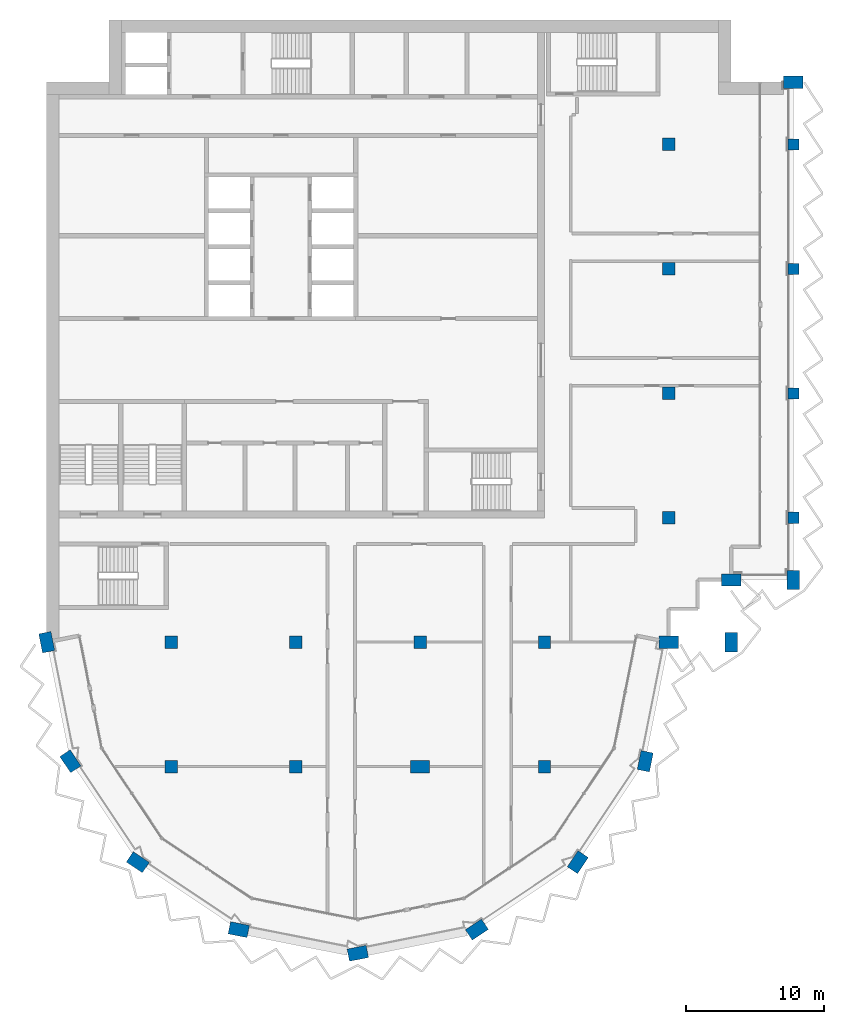
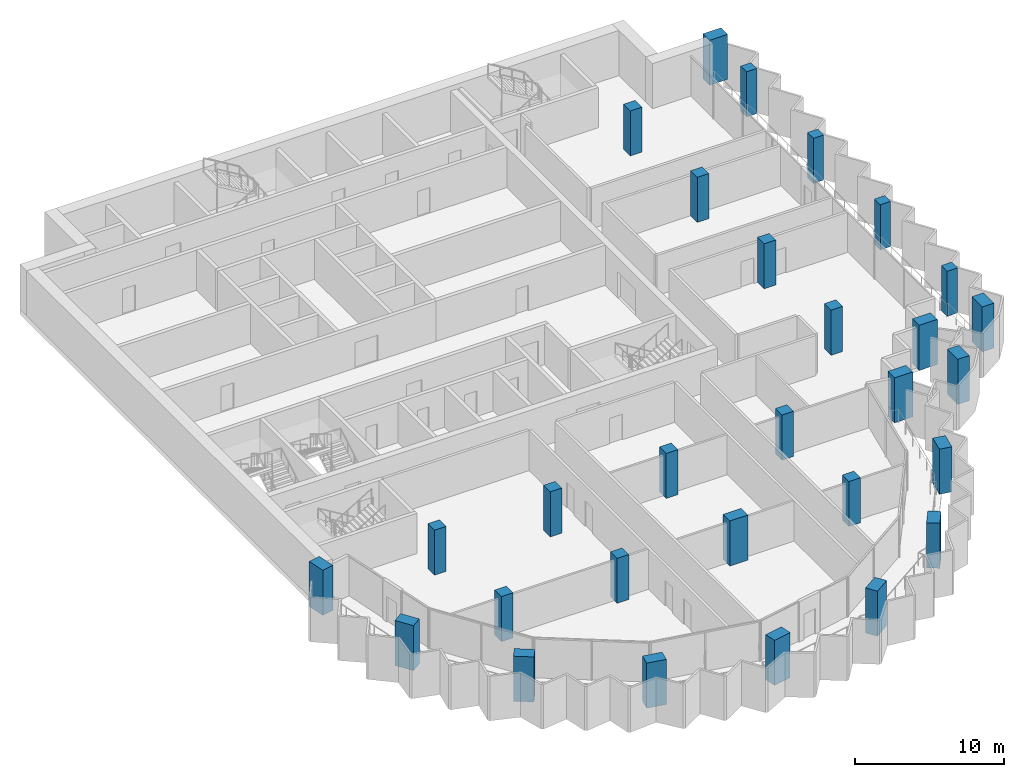
# One storey, part 1 of 13: 29 columns.
"""IFC4 building model written with IfcOpenShell, lengths in metres."""

import ifcopenshell
import ifcopenshell.guid

model = None  # the IFC model being written
_history = None  # IfcOwnerHistory: only IFC2X3 demands one
_inside = {}  # id of a spatial element -> (the spatial element, [elements in it])
_under = {}  # id of a project, library or spatial element -> (it, [spatial elements below it])
_declared = {}  # id of a project -> (the project, [libraries it declares])
_typed = {}  # id of a type object -> (the type object, [elements of that type])
_made_of = {}  # id of a material, layer set ... -> (it, [elements and type objects made of it])


def new_model(schema):
    """Start an empty IFC model of exactly this schema.

    Asked for "IFC4X3", IfcOpenShell would pick the latest addendum, in which some entities
    have other attributes; the version numbers below select the first issue.
    IFC2X3 requires an IfcOwnerHistory on every rooted entity: one is made here for all.
    """
    global model, _history
    if schema == "IFC4X3":
        model = ifcopenshell.file(schema_version=(4, 3, 0, 0))
    else:
        model = ifcopenshell.file(schema=schema)
    _inside.clear()
    _under.clear()
    _declared.clear()
    _typed.clear()
    _made_of.clear()
    _history = None
    if model.schema == "IFC2X3":
        org = make("IfcOrganization", Name="unknown")
        user = make(
            "IfcPersonAndOrganization",
            ThePerson=make("IfcPerson", FamilyName="unknown"),
            TheOrganization=org,
        )
        app = make(
            "IfcApplication",
            ApplicationDeveloper=org,
            Version="unknown",
            ApplicationFullName="unknown",
            ApplicationIdentifier="unknown",
        )
        _history = make(
            "IfcOwnerHistory",
            OwningUser=user,
            OwningApplication=app,
            ChangeAction="ADDED",
            CreationDate=0,
        )
    return model


def make(cls, **values):
    """One entity of the class cls with the attributes given. An attribute that is None is left unset."""
    return model.create_entity(
        cls, **{name: value for name, value in values.items() if value is not None}
    )


def rooted(cls, **values):
    """An entity with a GlobalId (a new one), such as an element, a storey or a relation."""
    return make(cls, GlobalId=ifcopenshell.guid.new(), OwnerHistory=_history, **values)


def si_unit(unit_type, name, prefix=None):
    """IfcSIUnit, for example si_unit("LENGTHUNIT", "METRE", prefix="MILLI")."""
    return make("IfcSIUnit", UnitType=unit_type, Prefix=prefix, Name=name)


def assignment(units):
    """IfcUnitAssignment: the units of a project."""
    return None if units is None else make("IfcUnitAssignment", Units=units)


def point(xyz):
    """IfcCartesianPoint."""
    return None if xyz is None else make("IfcCartesianPoint", Coordinates=xyz)


def direction(xyz):
    """IfcDirection."""
    return None if xyz is None else make("IfcDirection", DirectionRatios=xyz)


def frame(location, z_axis=None, x_axis=None):
    """IfcAxis2Placement3D, a coordinate frame: its origin and axes. An axis left out is left unset."""
    return make(
        "IfcAxis2Placement3D",
        Location=point(location),
        Axis=direction(z_axis),
        RefDirection=direction(x_axis),
    )


def frame_2d(location, x_axis=None):
    """IfcAxis2Placement2D, a coordinate frame in the plane: its origin and x axis."""
    return make(
        "IfcAxis2Placement2D", Location=point(location), RefDirection=direction(x_axis)
    )


def origin():
    """The frame at (0, 0, 0) with its axes left unset."""
    return frame((0.0, 0.0, 0.0))


def origin_2d():
    """The frame at (0, 0) in the plane with its x axis left unset."""
    return frame_2d((0.0, 0.0))


def place(relative_to, where):
    """IfcLocalPlacement: puts the frame where relative to a parent placement (None: the world)."""
    return make(
        "IfcLocalPlacement", PlacementRelTo=relative_to, RelativePlacement=where
    )


def context(
    kind, dimensions, precision=None, world=None, true_north=None, identifier=None
):
    """IfcGeometricRepresentationContext, for example the 3D "Model" context."""
    return make(
        "IfcGeometricRepresentationContext",
        ContextIdentifier=identifier,
        ContextType=kind,
        CoordinateSpaceDimension=dimensions,
        Precision=precision,
        WorldCoordinateSystem=world,
        TrueNorth=true_north,
    )


def subcontext(parent, identifier, kind, view, scale=None):
    """IfcGeometricRepresentationSubContext, for example "Body" below "Model"."""
    return make(
        "IfcGeometricRepresentationSubContext",
        ContextIdentifier=identifier,
        ContextType=kind,
        ParentContext=parent,
        TargetScale=scale,
        TargetView=view,
    )


def project(units=None, contexts=None):
    """IfcProject with its units and contexts."""
    return rooted(
        "IfcProject",
        Name="project",
        RepresentationContexts=contexts,
        UnitsInContext=assignment(units),
    )


def spatial(cls, under=None, at=None, **own):
    """A site, building, storey or space (cls), placed at a placement, below another one or the project."""
    s = rooted(cls, ObjectPlacement=at, **own)
    if under is not None:
        _under.setdefault(under.id(), (under, []))[1].append(s)
    return s


def profile(cls, at=None, kind="AREA", **sizes):
    """A parametric profile (cls). Its sizes go by their IFC names, for example OverallWidth=200.0."""
    return make(cls, ProfileType=kind, Position=at, **sizes)


def rectangle(**sizes):
    """IfcRectangleProfileDef."""
    return profile("IfcRectangleProfileDef", **sizes)


def extrude(swept, where, along, depth):
    """IfcExtrudedAreaSolid: the profile swept, set in the frame where, extruded along a direction by depth."""
    return make(
        "IfcExtrudedAreaSolid",
        SweptArea=swept,
        Position=where,
        ExtrudedDirection=direction(along),
        Depth=depth,
    )


def shape(context_of_items, identifier, shape_type, items):
    """IfcShapeRepresentation: the items that make up one representation, for example the "Body"."""
    return make(
        "IfcShapeRepresentation",
        ContextOfItems=context_of_items,
        RepresentationIdentifier=identifier,
        RepresentationType=shape_type,
        Items=items,
    )


def material(Name=None, Category=None):
    """IfcMaterial."""
    return make("IfcMaterial", Name=Name, Category=Category)


def material_profile(
    of_material, cross_section, Name=None, Category=None, Priority=None
):
    """IfcMaterialProfile: a cross section and its material."""
    return make(
        "IfcMaterialProfile",
        Name=Name,
        Material=of_material,
        Profile=cross_section,
        Priority=Priority,
        Category=Category,
    )


def profile_set(profiles, Name=None, composite=None):
    """IfcMaterialProfileSet."""
    return make(
        "IfcMaterialProfileSet",
        Name=Name,
        MaterialProfiles=profiles,
        CompositeProfile=composite,
    )


def made_of(thing, what):
    """Note that an element or type object is made of a material, layer set ...; save() writes the relation."""
    if what is not None:
        _made_of.setdefault(what.id(), (what, []))[1].append(thing)
    return thing


def type_object(cls, material=None, **own):
    """A type object (cls), such as IfcWallType, which elements share."""
    return made_of(rooted(cls, **own), material)


def element(
    cls,
    number,
    at=None,
    inside=None,
    cuts=None,
    type_object=None,
    material=None,
    context=None,
    identifier="Body",
    shape_type=None,
    held_by="IfcProductDefinitionShape",
    body=None,
    shapes=None,
    **own,
):
    """One element of the class cls, such as IfcWall. Its Tag is "e" and its number.

    at: its placement. inside: the storey or other place that contains it. cuts: it is an
    opening in that element (IfcRelVoidsElement). A single representation is given by context,
    identifier, shape_type and body (its items); several are given by shapes. held_by: the class
    of the entity that holds the representations. save() writes the other relations.
    """
    e = rooted(cls, Tag="e%d" % number, ObjectPlacement=at, **own)
    if body is not None:
        shapes = [shape(context, identifier, shape_type, body)]
    if shapes is not None:
        e.Representation = make(held_by, Representations=shapes)
    if inside is not None:
        _inside.setdefault(inside.id(), (inside, []))[1].append(e)
    if cuts is not None:
        rooted(
            "IfcRelVoidsElement", RelatingBuildingElement=cuts, RelatedOpeningElement=e
        )
    if type_object is not None:
        _typed.setdefault(type_object.id(), (type_object, []))[1].append(e)
    return made_of(e, material)


def aggregate(whole, parts):
    """IfcRelAggregates: a whole, such as a stair, and the parts it consists of."""
    return rooted("IfcRelAggregates", RelatingObject=whole, RelatedObjects=parts)


def save(model, path):
    """Write the relations noted so far, then the file.

    IfcRelAggregates (storeys below a building ...), IfcRelContainedInSpatialStructure (elements
    in a storey), IfcRelDefinesByType, IfcRelAssociatesMaterial and IfcRelDeclares: one each for
    every whole, place, type object, material and project.
    """
    for whole, parts in _under.values():
        aggregate(whole, parts)
    for where, things in _inside.values():
        rooted(
            "IfcRelContainedInSpatialStructure",
            RelatedElements=things,
            RelatingStructure=where,
        )
    for kind, things in _typed.values():
        rooted("IfcRelDefinesByType", RelatedObjects=things, RelatingType=kind)
    for what, things in _made_of.values():
        rooted("IfcRelAssociatesMaterial", RelatedObjects=things, RelatingMaterial=what)
    for by, libraries in _declared.values():
        rooted("IfcRelDeclares", RelatingContext=by, RelatedDefinitions=libraries)
    model.write(path)


model = new_model("IFC4")

# Units and contexts
model_context = context("Model", 3, precision=1e-05, world=origin(), true_north=direction((0.0, 1.0)))
body_context = subcontext(model_context, "Body", "Model", "MODEL_VIEW")
ifc_project = project(units=[si_unit("LENGTHUNIT", "METRE"), si_unit("AREAUNIT", "SQUARE_METRE"), si_unit("VOLUMEUNIT", "CUBIC_METRE"), si_unit("PLANEANGLEUNIT", "RADIAN"), si_unit("MASSUNIT", "GRAM", prefix="KILO")], contexts=[model_context])

# Site, building, storey
site_placement = place(None, origin())
site = spatial("IfcSite", under=ifc_project, at=site_placement, CompositionType="ELEMENT")
building_placement = place(site_placement, origin())
building = spatial("IfcBuilding", under=site, at=building_placement, Name="Hunhe Ridgeline Campus", CompositionType="ELEMENT")
storey_placement = place(building_placement, frame((0.0, 0.0, 280.800048828125)))
storey = spatial("IfcBuildingStorey", under=building, at=storey_placement, Name="L72", CompositionType="ELEMENT", Elevation=280.800048828125)

# Columns
ifc_material = material(Name="Concrete C50", Category="concrete")
ifc_material_profile_1 = material_profile(ifc_material, rectangle(XDim=1.39990234375, YDim=0.89990234375, at=origin_2d()))
ifc_profile_set_1 = profile_set([ifc_material_profile_1], Name="Concrete C50")
column_type_1 = type_object("IfcColumnType", Name="Megacolumn 1400x900 Concrete C50", PredefinedType="COLUMN", material=ifc_profile_set_1)
for number, where, z_axis, x_axis, name in (
    (1, (22.5, 31.5, 0.0), (0.0, 0.0, 1.0), (0.980785280403, 0.195090322016, 0.0), "Column C16 R20 L72"),
    (2, (13.8896484375, 33.212646484375, 0.0), (0.0, 0.0, 1.0), (-0.980785280403, 0.195090322016, 0.0), "Column C16 R21 L72"),
    (3, (31.1103515625, 33.212646484375, 0.0), (0.0, 0.0, 1.0), (0.831469612303, 0.55557023302, 0.0), "Column C16 R22 L72"),
    (4, (6.590087890625, 38.090087890625, 0.0), (0.0, 0.0, 1.0), (-0.831469612303, 0.55557023302, 0.0), "Column C16 R25 L72"),
    (5, (38.409912109375, 38.090087890625, 0.0), (0.0, 0.0, 1.0), (0.55557023302, 0.831469612303, 0.0), "Column C16 R26 L72"),
    (6, (1.712646484375, 45.3896484375, 0.0), (0.0, 0.0, 1.0), (-0.55557023302, 0.831469612303, 0.0), "Column C16 R27 L72"),
    (7, (43.287353515625, 45.3896484375, 0.0), (0.0, 0.0, 1.0), (0.195090322016, 0.980785280403, 0.0), "Column C16 R28 L72"),
    (8, (0.0, 54.0, 0.0), (0.0, 0.0, 1.0), (-0.195090322016, 0.980785280403, 0.0), "Column C16 G1 L72"),
    (9, (45.0, 54.0, 0.0), (0.0, 0.0, 1.0), (1.0, 0.0, 0.0), "Column C16 G6 L72"),
    (10, (49.5, 54.0, 0.0), (0.0, 0.0, 1.0), (0.0, 1.0, 0.0), "Column C16 R29 L72"),
    (11, (49.5, 58.5, 0.0), (0.0, 0.0, 1.0), (1.0, 0.0, 0.0), "Column C16 R33 L72"),
    (12, (54.0, 58.5, 0.0), (0.0, 0.0, 1.0), (0.0, 1.0, 0.0), "Column C16 R34 L72"),
    (13, (54.0, 94.5, 0.0), (0.0, 0.0, 1.0), (1.0, 0.0, 0.0), "Column C16 R41 L72"),
    (14, (27.0, 45.0, 0.0), (0.0, 0.0, 1.0), (1.0, 0.0, 0.0), "Column C16 F4 L72"),
):
    element("IfcColumn", number, at=place(storey_placement, frame(where, z_axis=z_axis, x_axis=x_axis)), inside=storey, type_object=column_type_1, Name=name, PredefinedType="COLUMN", context=body_context, shape_type="SweptSolid", body=[
        extrude(rectangle(XDim=1.39990234375, YDim=0.89990234375, at=origin_2d()), origin(), (0.0, 0.0, 1.0), 3.699951171875),
    ])
ifc_material_profile_2 = material_profile(ifc_material, rectangle(XDim=0.800048828125, YDim=0.800048828125, at=origin_2d()))
ifc_profile_set_2 = profile_set([ifc_material_profile_2], Name="Concrete C50")
column_type_2 = type_object("IfcColumnType", Name="RC column 800x800 Concrete C50", PredefinedType="COLUMN", material=ifc_profile_set_2)
for number, where, z_axis, x_axis, name in (
    (15, (54.0, 63.0, 0.0), (0.0, 0.0, 1.0), (1.0, 0.0, 0.0), "Column C17 H7 L72"),
    (16, (54.0, 72.0, 0.0), (0.0, 0.0, 1.0), (1.0, 0.0, 0.0), "Column C17 I7 L72"),
    (17, (54.0, 81.0, 0.0), (0.0, 0.0, 1.0), (1.0, 0.0, 0.0), "Column C17 J7 L72"),
    (18, (54.0, 90.0, 0.0), (0.0, 0.0, 1.0), (1.0, 0.0, 0.0), "Column C17 K7 L72"),
):
    element("IfcColumn", number, at=place(storey_placement, frame(where, z_axis=z_axis, x_axis=x_axis)), inside=storey, type_object=column_type_2, Name=name, PredefinedType="COLUMN", context=body_context, shape_type="SweptSolid", body=[
        extrude(rectangle(XDim=0.800048828125, YDim=0.800048828125, at=origin_2d()), origin(), (0.0, 0.0, 1.0), 3.699951171875),
    ])
ifc_material_profile_3 = material_profile(ifc_material, rectangle(XDim=0.89990234375, YDim=0.89990234375, at=origin_2d()))
ifc_profile_set_3 = profile_set([ifc_material_profile_3], Name="Concrete C50")
column_type_3 = type_object("IfcColumnType", Name="RC column 900x900 Concrete C50", PredefinedType="COLUMN", material=ifc_profile_set_3)
for number, where, z_axis, x_axis, name in (
    (19, (9.0, 45.0, 0.0), (0.0, 0.0, 1.0), (1.0, 0.0, 0.0), "Column C18 F2 L72"),
    (20, (9.0, 54.0, 0.0), (0.0, 0.0, 1.0), (1.0, 0.0, 0.0), "Column C18 G2 L72"),
    (21, (18.0, 45.0, 0.0), (0.0, 0.0, 1.0), (1.0, 0.0, 0.0), "Column C18 F3 L72"),
    (22, (18.0, 54.0, 0.0), (0.0, 0.0, 1.0), (1.0, 0.0, 0.0), "Column C18 G3 L72"),
    (23, (27.0, 54.0, 0.0), (0.0, 0.0, 1.0), (1.0, 0.0, 0.0), "Column C18 G4 L72"),
    (24, (36.0, 45.0, 0.0), (0.0, 0.0, 1.0), (1.0, 0.0, 0.0), "Column C18 F5 L72"),
    (25, (36.0, 54.0, 0.0), (0.0, 0.0, 1.0), (1.0, 0.0, 0.0), "Column C18 G5 L72"),
    (26, (45.0, 63.0, 0.0), (0.0, 0.0, 1.0), (1.0, 0.0, 0.0), "Column C18 H6 L72"),
    (27, (45.0, 72.0, 0.0), (0.0, 0.0, 1.0), (1.0, 0.0, 0.0), "Column C18 I6 L72"),
    (28, (45.0, 81.0, 0.0), (0.0, 0.0, 1.0), (1.0, 0.0, 0.0), "Column C18 J6 L72"),
    (29, (45.0, 90.0, 0.0), (0.0, 0.0, 1.0), (1.0, 0.0, 0.0), "Column C18 K6 L72"),
):
    element("IfcColumn", number, at=place(storey_placement, frame(where, z_axis=z_axis, x_axis=x_axis)), inside=storey, type_object=column_type_3, Name=name, PredefinedType="COLUMN", context=body_context, shape_type="SweptSolid", body=[
        extrude(rectangle(XDim=0.89990234375, YDim=0.89990234375, at=origin_2d()), origin(), (0.0, 0.0, 1.0), 3.699951171875),
    ])

save(model, "model.ifc")
